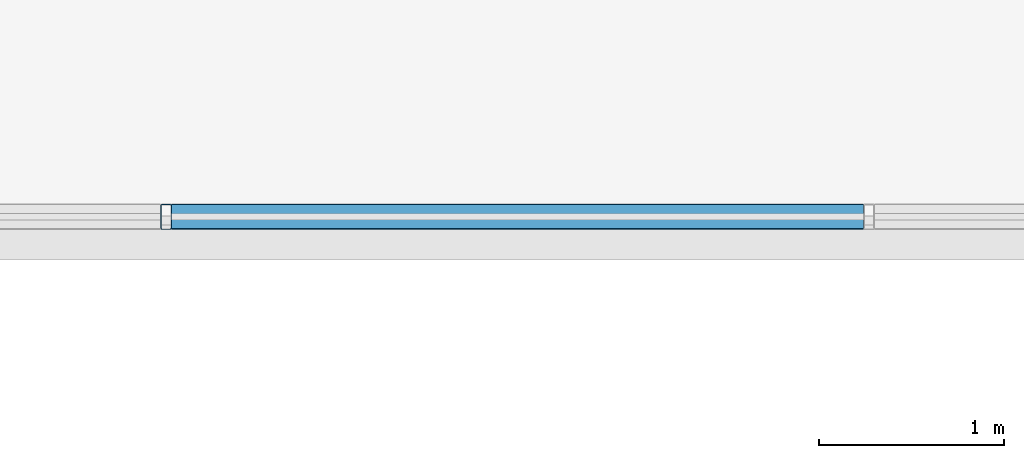
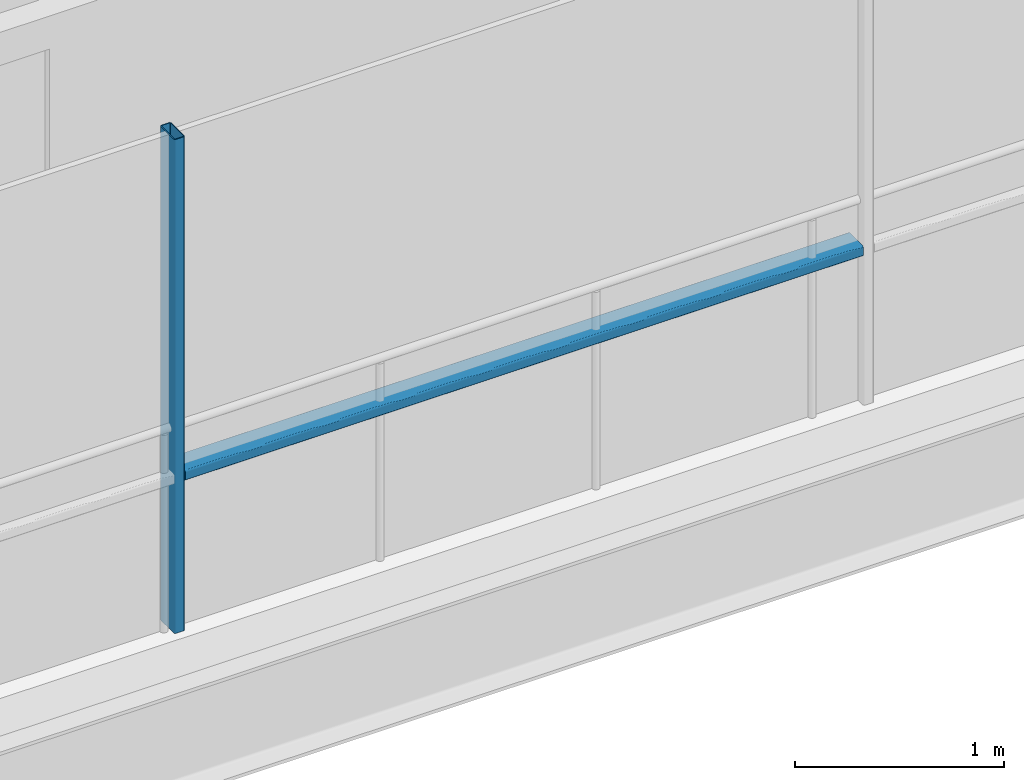
# One storey, part 11 of 40: 2 members, 1 element without a shape of its own.
"""IFC4 building model written with IfcOpenShell, lengths in metres."""

from ifc_helpers import new_model, si_unit, direction, frame, origin, origin_2d, place, context, subcontext, project, spatial, hollow_rectangle, extrude, material, layer, layer_set, material_profile, profile_set, type_object, element, aggregate, save


model = new_model("IFC4")

# Units and contexts
model_context = context("Model", 3, precision=1e-05, world=origin(), true_north=direction((0.0, 1.0)))
body_context = subcontext(model_context, "Body", "Model", "MODEL_VIEW")
ifc_project = project(units=[si_unit("LENGTHUNIT", "METRE"), si_unit("AREAUNIT", "SQUARE_METRE"), si_unit("VOLUMEUNIT", "CUBIC_METRE"), si_unit("PLANEANGLEUNIT", "RADIAN"), si_unit("MASSUNIT", "GRAM", prefix="KILO")], contexts=[model_context])

# Site, building, storey
site_placement = place(None, origin())
site = spatial("IfcSite", under=ifc_project, at=site_placement, CompositionType="ELEMENT")
building_placement = place(site_placement, origin())
building = spatial("IfcBuilding", under=site, at=building_placement, Name="Brevholm Reach", CompositionType="ELEMENT")
storey_placement = place(building_placement, frame((0.0, 0.0, 125.199951171875)))
storey = spatial("IfcBuildingStorey", under=building, at=storey_placement, Name="L37", CompositionType="ELEMENT", Elevation=125.199951171875)

# Curtain wall, members
ifc_material_1 = material(Name="Dark Anodised Aluminium 6063-T6 and Solar-Control Glass", Category="aluminium")
ifc_layer = layer(ifc_material_1, 0.139892578125)
ifc_layer_set = layer_set([ifc_layer], Name="Dark Anodised Aluminium 6063-T6 and Solar-Control Glass")
curtain_wall_type = type_object("IfcCurtainWallType", Name="CW-02", PredefinedType="NOTDEFINED", material=ifc_layer_set)
curtain_wall_placement = place(storey_placement, origin())
curtain_wall = element("IfcCurtainWall", 1, at=curtain_wall_placement, inside=storey, type_object=curtain_wall_type, Name="L37 Curtain Wall CW-02", PredefinedType="NOTDEFINED")
ifc_material_2 = material(Name="Dark Anodised Aluminium 6063-T6", Category="aluminium")
ifc_material_profile_1 = material_profile(ifc_material_2, hollow_rectangle(XDim=0.06005859375, YDim=0.139892578125, WallThickness=0.0048828125, InnerFilletRadius=0.0048828125, OuterFilletRadius=0.010009765625, at=origin_2d()), Name="RHS 140x60x5")
ifc_profile_set_1 = profile_set([ifc_material_profile_1], Name="Dark Anodised Aluminium 6063-T6")
member_type_1 = type_object("IfcMemberType", Name="CWM-140", PredefinedType="MULLION", material=ifc_profile_set_1)
member_1_placement = place(storey_placement, frame((30.050048828125, 26.6201171875, 0.0), z_axis=(0.0, 0.0, 1.0), x_axis=(-1.0, 0.0, 0.0)))
member_1 = element("IfcMember", 2, at=member_1_placement, type_object=member_type_1, Name="CM-140 Mullion 3", PredefinedType="MULLION", context=body_context, shape_type="SweptSolid", body=[
    extrude(hollow_rectangle(XDim=0.06005859375, YDim=0.139892578125, WallThickness=0.0048828125, InnerFilletRadius=0.0048828125, OuterFilletRadius=0.010009765625, at=origin_2d()), origin(), (0.0, 0.0, 1.0), 2.880126953125),
])
ifc_material_3 = material(Name="Dark Anodised Aluminium 6063-T6", Category="aluminium")
ifc_material_profile_2 = material_profile(ifc_material_3, hollow_rectangle(XDim=0.06005859375, YDim=0.139892578125, WallThickness=0.0048828125, InnerFilletRadius=0.0048828125, OuterFilletRadius=0.010009765625, at=origin_2d()), Name="RHS 140x60x5")
ifc_profile_set_2 = profile_set([ifc_material_profile_2], Name="Dark Anodised Aluminium 6063-T6")
member_type_2 = type_object("IfcMemberType", Name="CWT-140", PredefinedType="NOTDEFINED", material=ifc_profile_set_2)
member_2_placement = place(storey_placement, frame((33.820068359375, 26.6201171875, 0.900146484375), z_axis=(-1.0, 0.0, 0.0), x_axis=(0.0, 0.0, 1.0)))
member_2 = element("IfcMember", 3, at=member_2_placement, type_object=member_type_2, Name="CT-140 Transom 2.1", ObjectType="TRANSOM", PredefinedType="USERDEFINED", context=body_context, shape_type="SweptSolid", body=[
    extrude(hollow_rectangle(XDim=0.06005859375, YDim=0.139892578125, WallThickness=0.0048828125, InnerFilletRadius=0.0048828125, OuterFilletRadius=0.010009765625, at=origin_2d()), origin(), (0.0, 0.0, 1.0), 3.739990234375),
])
aggregate(curtain_wall, [member_1, member_2])

save(model, "model.ifc")
